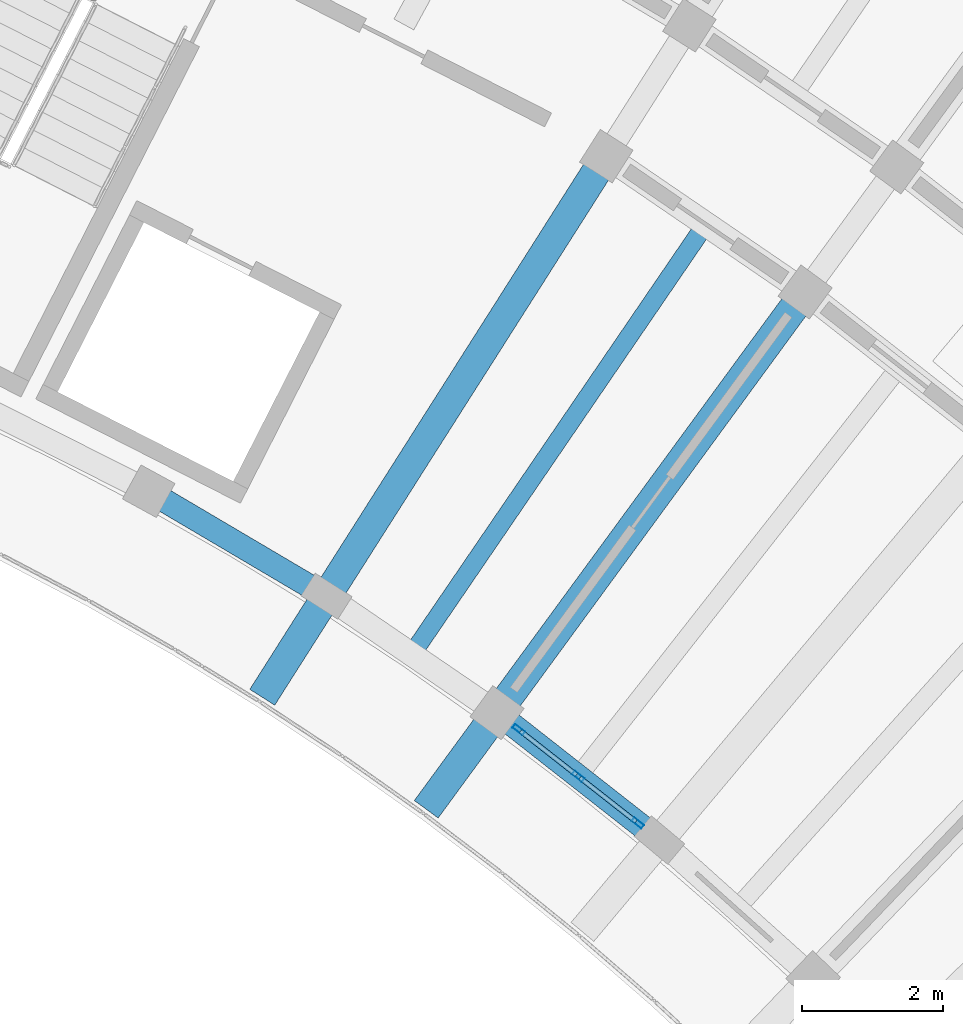
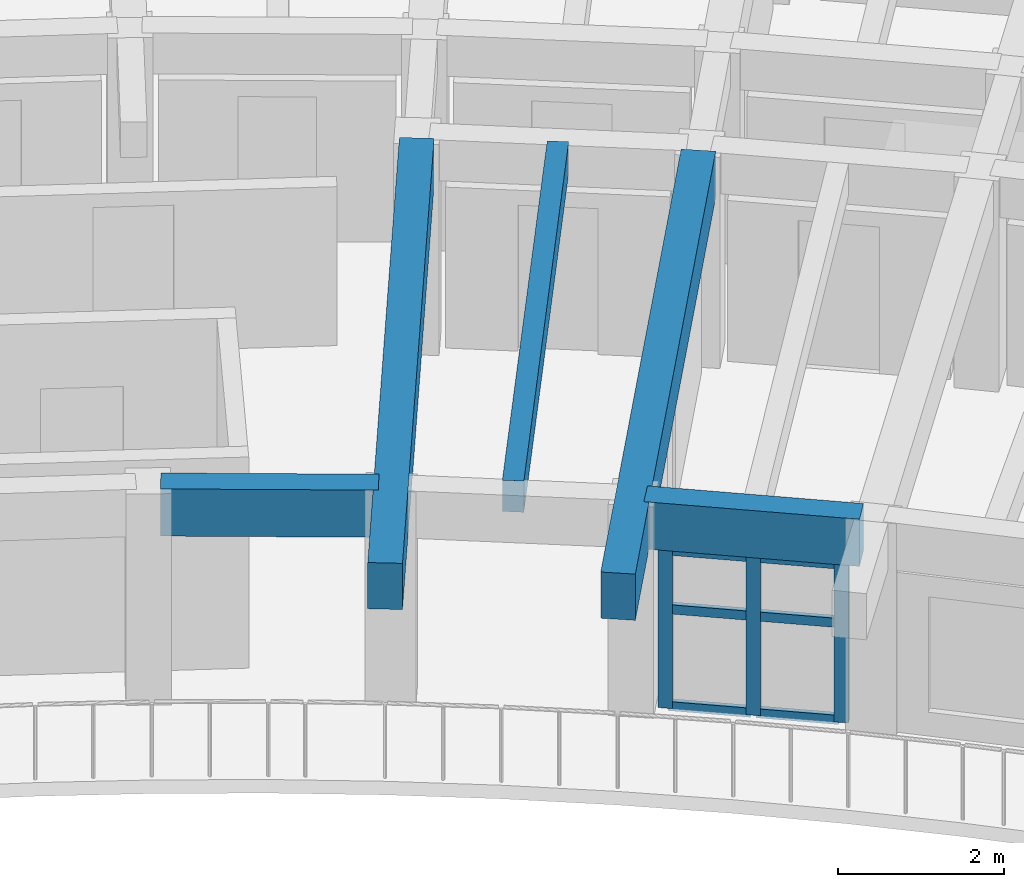
# One storey, part 23 of 78: 9 members, 5 beams, 1 element without a shape of its own.
"""IFC4 building model written with IfcOpenShell, lengths in metres."""

from ifc_helpers import new_model, si_unit, direction, frame, origin, origin_2d, place, context, subcontext, project, spatial, rectangle, hollow_rectangle, extrude, material, material_profile, profile_set, type_object, element, aggregate, save


model = new_model("IFC4")

# Units and contexts
model_context = context("Model", 3, precision=1e-05, world=origin(), true_north=direction((0.0, 1.0)))
body_context = subcontext(model_context, "Body", "Model", "MODEL_VIEW")
ifc_project = project(units=[si_unit("LENGTHUNIT", "METRE"), si_unit("AREAUNIT", "SQUARE_METRE"), si_unit("VOLUMEUNIT", "CUBIC_METRE"), si_unit("PLANEANGLEUNIT", "RADIAN"), si_unit("MASSUNIT", "GRAM", prefix="KILO")], contexts=[model_context])

# Site, building, storey
site_placement = place(None, origin())
site = spatial("IfcSite", under=ifc_project, at=site_placement, CompositionType="ELEMENT")
building_placement = place(site_placement, origin())
building = spatial("IfcBuilding", under=site, at=building_placement, Name="Tanwirah Colonnade Gardens", CompositionType="ELEMENT")
storey_placement = place(building_placement, frame((0.0, 0.0, 22.280029296875)))
storey = spatial("IfcBuildingStorey", under=building, at=storey_placement, Name="L06", CompositionType="ELEMENT", Elevation=22.280029296875)

# Beams
ifc_material_1 = material(Name="Precast concrete C45/55", Category="concrete")
ifc_material_profile_1 = material_profile(ifc_material_1, rectangle(XDim=0.419921875, YDim=0.679931640625, at=origin_2d()), Name="PC-BM 420x680")
ifc_profile_set_1 = profile_set([ifc_material_profile_1], Name="Precast concrete C45/55")
beam_type_1 = type_object("IfcBeamType", Name="BM-PC420", PredefinedType="BEAM", material=ifc_profile_set_1)
for number, where, z_axis, x_axis, name in (
    (1, (151.550537109375, 101.907958984375, 2.77001953125), (-0.590927205009, -0.806724883947, 0.0), (0.806724883947, -0.590927205009, 0.0), "Block B L06 Inner Radial Precast Girder 10"),
    (2, (148.736083984375, 103.830322265625, 2.77001953125), (-0.536483588607, -0.843910753075, 0.0), (0.843910753075, -0.536483588607, 0.0), "Block B L06 Inner Radial Precast Girder 11"),
):
    element("IfcBeam", number, at=place(storey_placement, frame(where, z_axis=z_axis, x_axis=x_axis)), inside=storey, type_object=beam_type_1, Name=name, PredefinedType="BEAM", context=body_context, shape_type="SweptSolid", body=[
        extrude(rectangle(XDim=0.419921875, YDim=0.679931640625, at=origin_2d()), origin(), (0.0, 0.0, 1.0), 8.949951171875),
    ])

# Curtain wall, members
ifc_material_2 = material(Name="Bronze-anodised aluminium and solar-control low-E glass", Category="aluminium")
curtain_wall_type = type_object("IfcCurtainWallType", Name="CW-GDN", PredefinedType="NOTDEFINED", material=ifc_material_2)
curtain_wall_placement = place(storey_placement, origin())
curtain_wall = element("IfcCurtainWall", 3, at=curtain_wall_placement, inside=storey, type_object=curtain_wall_type, Name="Curtain Wall CW-B-L06-IN-09", PredefinedType="NOTDEFINED")
ifc_material_3 = material(Name="Bronze-anodised aluminium", Category="aluminium")
ifc_material_profile_2 = material_profile(ifc_material_3, hollow_rectangle(XDim=0.06494140625, YDim=0.179931640625, WallThickness=0.00390625, at=origin_2d()), Name="CW-MUL 65x180x4")
ifc_profile_set_2 = profile_set([ifc_material_profile_2], Name="Bronze-anodised aluminium")
member_type_1 = type_object("IfcMemberType", Name="CWM-65x180", PredefinedType="MULLION", material=ifc_profile_set_2)
member_1_placement = place(storey_placement, frame((149.26318359375, 94.492919921875, 0.0), z_axis=(0.0, 0.0, 1.0), x_axis=(-0.617188542982, -0.786815291166, 0.0)))
member_1 = element("IfcMember", 4, at=member_1_placement, type_object=member_type_1, Name="CW-GDN mullion 1", PredefinedType="MULLION", context=body_context, shape_type="SweptSolid", body=[
    extrude(hollow_rectangle(XDim=0.06494140625, YDim=0.179931640625, WallThickness=0.00390625, at=origin_2d()), origin(), (0.0, 0.0, 1.0), 2.35498046875),
])
member_2_placement = place(storey_placement, frame((148.419189453125, 95.155029296875, 0.0), z_axis=(0.0, 0.0, 1.0), x_axis=(-0.617188542982, -0.786815291166, 0.0)))
member_2 = element("IfcMember", 5, at=member_2_placement, type_object=member_type_1, Name="CW-GDN mullion 2", PredefinedType="MULLION", context=body_context, shape_type="SweptSolid", body=[
    extrude(hollow_rectangle(XDim=0.06494140625, YDim=0.179931640625, WallThickness=0.00390625, at=origin_2d()), origin(), (0.0, 0.0, 1.0), 2.35498046875),
])
member_3_placement = place(storey_placement, frame((147.5751953125, 95.81689453125, 0.0), z_axis=(0.0, 0.0, 1.0), x_axis=(-0.617188542982, -0.786815291166, 0.0)))
member_3 = element("IfcMember", 6, at=member_3_placement, type_object=member_type_1, Name="CW-GDN mullion 3", PredefinedType="MULLION", context=body_context, shape_type="SweptSolid", body=[
    extrude(hollow_rectangle(XDim=0.06494140625, YDim=0.179931640625, WallThickness=0.00390625, at=origin_2d()), origin(), (0.0, 0.0, 1.0), 2.35498046875),
])
ifc_material_profile_3 = material_profile(ifc_material_3, hollow_rectangle(XDim=0.06494140625, YDim=0.135009765625, WallThickness=0.00390625, at=origin_2d()), Name="CW-TRN 65x135x4")
ifc_profile_set_3 = profile_set([ifc_material_profile_3], Name="Bronze-anodised aluminium")
member_type_2 = type_object("IfcMemberType", Name="CWT-65x135", PredefinedType="USERDEFINED", material=ifc_profile_set_3)
member_4_placement = place(storey_placement, frame((149.237548828125, 94.512939453125, 0.032470703125), z_axis=(-0.786906471393, 0.617072285295, 0.0), x_axis=(-0.617072285295, -0.786906471393, 0.0)))
member_4 = element("IfcMember", 7, at=member_4_placement, type_object=member_type_2, Name="CW-GDN transom 1.1", ObjectType="TRANSOM", PredefinedType="USERDEFINED", context=body_context, shape_type="SweptSolid", body=[
    extrude(hollow_rectangle(XDim=0.06494140625, YDim=0.135009765625, WallThickness=0.00390625, at=origin_2d()), origin(), (0.0, 0.0, 1.0), 1.0078125),
])
member_5_placement = place(storey_placement, frame((149.237548828125, 94.512939453125, 1.4599609375), z_axis=(-0.786906471393, 0.617072285295, 0.0), x_axis=(-0.617072285295, -0.786906471393, 0.0)))
member_5 = element("IfcMember", 8, at=member_5_placement, type_object=member_type_2, Name="CW-GDN transom 1.2", ObjectType="TRANSOM", PredefinedType="USERDEFINED", context=body_context, shape_type="SweptSolid", body=[
    extrude(hollow_rectangle(XDim=0.06494140625, YDim=0.135009765625, WallThickness=0.00390625, at=origin_2d()), origin(), (0.0, 0.0, 1.0), 1.0078125),
])
member_6_placement = place(storey_placement, frame((149.237548828125, 94.512939453125, 2.322509765625), z_axis=(-0.786906471393, 0.617072285295, 0.0), x_axis=(-0.617072285295, -0.786906471393, 0.0)))
member_6 = element("IfcMember", 9, at=member_6_placement, type_object=member_type_2, Name="CW-GDN transom 1.3", ObjectType="TRANSOM", PredefinedType="USERDEFINED", context=body_context, shape_type="SweptSolid", body=[
    extrude(hollow_rectangle(XDim=0.06494140625, YDim=0.135009765625, WallThickness=0.00390625, at=origin_2d()), origin(), (0.0, 0.0, 1.0), 1.0078125),
])
member_7_placement = place(storey_placement, frame((148.3935546875, 95.175048828125, 0.032470703125), z_axis=(-0.786814192286, 0.617189943872, 0.0), x_axis=(-0.617189943872, -0.786814192286, 0.0)))
member_7 = element("IfcMember", 10, at=member_7_placement, type_object=member_type_2, Name="CW-GDN transom 2.1", ObjectType="TRANSOM", PredefinedType="USERDEFINED", context=body_context, shape_type="SweptSolid", body=[
    extrude(hollow_rectangle(XDim=0.06494140625, YDim=0.135009765625, WallThickness=0.00390625, at=origin_2d()), origin(), (0.0, 0.0, 1.0), 1.007568359375),
])
member_8_placement = place(storey_placement, frame((148.3935546875, 95.175048828125, 1.4599609375), z_axis=(-0.786814192286, 0.617189943872, 0.0), x_axis=(-0.617189943872, -0.786814192286, 0.0)))
member_8 = element("IfcMember", 11, at=member_8_placement, type_object=member_type_2, Name="CW-GDN transom 2.2", ObjectType="TRANSOM", PredefinedType="USERDEFINED", context=body_context, shape_type="SweptSolid", body=[
    extrude(hollow_rectangle(XDim=0.06494140625, YDim=0.135009765625, WallThickness=0.00390625, at=origin_2d()), origin(), (0.0, 0.0, 1.0), 1.007568359375),
])
member_9_placement = place(storey_placement, frame((148.3935546875, 95.175048828125, 2.322509765625), z_axis=(-0.786814192286, 0.617189943872, 0.0), x_axis=(-0.617189943872, -0.786814192286, 0.0)))
member_9 = element("IfcMember", 12, at=member_9_placement, type_object=member_type_2, Name="CW-GDN transom 2.3", ObjectType="TRANSOM", PredefinedType="USERDEFINED", context=body_context, shape_type="SweptSolid", body=[
    extrude(hollow_rectangle(XDim=0.06494140625, YDim=0.135009765625, WallThickness=0.00390625, at=origin_2d()), origin(), (0.0, 0.0, 1.0), 1.007568359375),
])
aggregate(curtain_wall, [member_1, member_2, member_3, member_4, member_5, member_6, member_7, member_8, member_9])

# Beams
ifc_material_4 = material(Name="Precast concrete C40/50", Category="concrete")
ifc_material_profile_4 = material_profile(ifc_material_4, rectangle(XDim=0.260009765625, YDim=0.4599609375, at=origin_2d()), Name="PC-JST 260x460")
ifc_profile_set_4 = profile_set([ifc_material_profile_4], Name="Precast concrete C40/50")
beam_type_2 = type_object("IfcBeamType", Name="JST-PC260", PredefinedType="JOIST", material=ifc_profile_set_4)
beam_placement = place(storey_placement, frame((146.1376953125, 97.004638671875, 2.8798828125), z_axis=(0.564021195806, 0.825760310672, 0.0), x_axis=(-0.825760310672, 0.564021195806, 0.0)))
element("IfcBeam", 13, at=beam_placement, inside=storey, type_object=beam_type_2, Name="Block B L06 Inner Precast Floor Joist 10", PredefinedType="JOIST", context=body_context, shape_type="SweptSolid", body=[
    extrude(rectangle(XDim=0.260009765625, YDim=0.4599609375, at=origin_2d()), origin(), (0.0, 0.0, 1.0), 7.159912109375),
])
ifc_material_profile_5 = material_profile(ifc_material_4, rectangle(XDim=0.3349609375, YDim=0.695068359375, at=origin_2d()), Name="PC-SP 335x695")
ifc_profile_set_5 = profile_set([ifc_material_profile_5], Name="Precast concrete C40/50")
beam_type_3 = type_object("IfcBeamType", Name="SP-PC300", PredefinedType="SPANDREL", material=ifc_profile_set_5)
for number, where, z_axis, x_axis, name in (
    (14, (149.453857421875, 94.34326171875, 2.762451171875), (-0.786836625031, 0.617161344795, 0.0), (-0.617161344795, -0.786836625031, 0.0), "Block B L06 Circumferential Beam 9-R0"),
    (15, (144.717529296875, 97.7880859375, 2.762451171875), (-0.861148181788, 0.508354019363, 0.0), (-0.508354019363, -0.861148181788, 0.0), "Block B L06 Circumferential Beam 11-R0"),
):
    element("IfcBeam", number, at=place(storey_placement, frame(where, z_axis=z_axis, x_axis=x_axis)), inside=storey, type_object=beam_type_3, Name=name, PredefinedType="SPANDREL", context=body_context, shape_type="SweptSolid", body=[
        extrude(rectangle(XDim=0.3349609375, YDim=0.695068359375, at=origin_2d()), origin(), (0.0, 0.0, 1.0), 2.63037109375),
    ])

save(model, "model.ifc")
